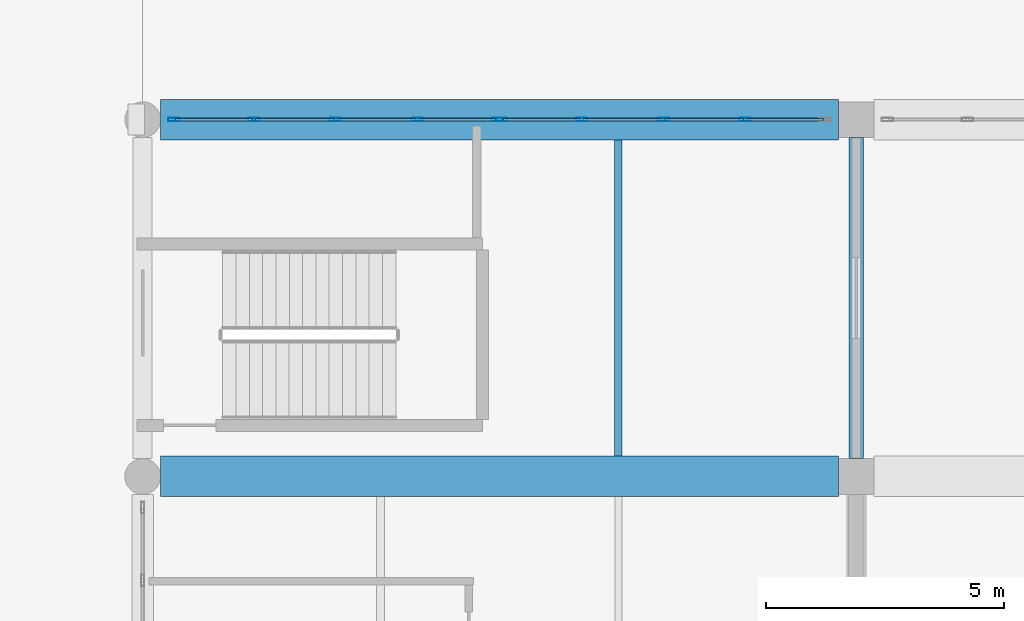
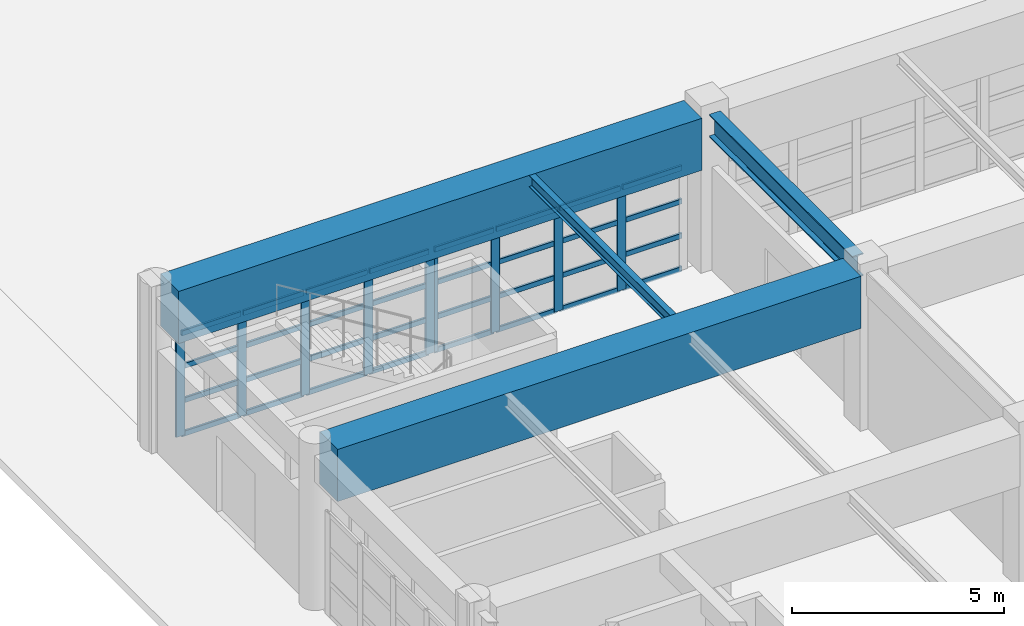
# One storey, part 13 of 122: 41 members, 4 beams, 2 elements without a shape of their own.
"""IFC4 building model written with IfcOpenShell, lengths in metres."""

from ifc_helpers import new_model, si_unit, direction, frame, origin, origin_2d, place, context, subcontext, project, spatial, rectangle, hollow_rectangle, i_section, extrude, material, material_profile, profile_set, type_object, element, aggregate, save


model = new_model("IFC4")

# Units and contexts
model_context = context("Model", 3, precision=1e-05, world=origin(), true_north=direction((0.0, 1.0)))
body_context = subcontext(model_context, "Body", "Model", "MODEL_VIEW")
ifc_project = project(units=[si_unit("LENGTHUNIT", "METRE"), si_unit("AREAUNIT", "SQUARE_METRE"), si_unit("VOLUMEUNIT", "CUBIC_METRE"), si_unit("PLANEANGLEUNIT", "RADIAN"), si_unit("MASSUNIT", "GRAM", prefix="KILO")], contexts=[model_context])

# Site, building, storey
site_placement = place(None, origin())
site = spatial("IfcSite", under=ifc_project, at=site_placement, CompositionType="ELEMENT")
building_placement = place(site_placement, origin())
building = spatial("IfcBuilding", under=site, at=building_placement, Name="Qasida Concert Hall", CompositionType="ELEMENT")
storey_placement = place(building_placement, origin())
storey = spatial("IfcBuildingStorey", under=building, at=storey_placement, Name="L00", CompositionType="ELEMENT", Elevation=0.0)

# Beams
ifc_material_1 = material(Name="Steel S355J2", Category="steel")
ifc_material_profile_1 = material_profile(ifc_material_1, i_section(OverallWidth=0.300048828125, OverallDepth=0.64990234375, WebThickness=0.01611328125, FlangeThickness=0.031005859375, FilletRadius=0.027099609375, at=origin_2d()), Name="HEB 650")
ifc_profile_set_1 = profile_set([ifc_material_profile_1], Name="Steel S355J2")
beam_type_1 = type_object("IfcBeamType", Name="BM-B13", PredefinedType="BEAM", material=ifc_profile_set_1)
beam_1_placement = place(storey_placement, frame((15.0, 45.375, 4.175048828125), z_axis=(0.0, 1.0, 0.0), x_axis=(-1.0, 0.0, 0.0)))
element("IfcBeam", 1, at=beam_1_placement, inside=storey, type_object=beam_type_1, Name="L00 girder 0545", PredefinedType="BEAM", context=body_context, shape_type="SweptSolid", body=[
    extrude(i_section(OverallWidth=0.300048828125, OverallDepth=0.64990234375, WebThickness=0.01611328125, FlangeThickness=0.031005859375, FilletRadius=0.027099609375, at=origin_2d()), origin(), (0.0, 0.0, 1.0), 6.75),
])
ifc_material_profile_2 = material_profile(ifc_material_1, i_section(OverallWidth=0.159912109375, OverallDepth=0.330078125, WebThickness=0.007568359375, FlangeThickness=0.011474609375, FilletRadius=0.01806640625, at=origin_2d()), Name="IPE 330")
ifc_profile_set_2 = profile_set([ifc_material_profile_2], Name="Steel S355J2")
beam_type_2 = type_object("IfcBeamType", Name="BM-J5", PredefinedType="JOIST", material=ifc_profile_set_2)
beam_2_placement = place(storey_placement, frame((10.0, 45.425048828125, 4.3349609375), z_axis=(0.0, 1.0, 0.0), x_axis=(-1.0, 0.0, 0.0)))
element("IfcBeam", 2, at=beam_2_placement, inside=storey, type_object=beam_type_2, Name="L00 secondary joist 0571", PredefinedType="JOIST", context=body_context, shape_type="SweptSolid", body=[
    extrude(i_section(OverallWidth=0.159912109375, OverallDepth=0.330078125, WebThickness=0.007568359375, FlangeThickness=0.011474609375, FilletRadius=0.01806640625, at=origin_2d()), origin(), (0.0, 0.0, 1.0), 6.64990234375),
])
ifc_material_2 = material(Name="Concrete C50/60", Category="concrete")
ifc_material_profile_3 = material_profile(ifc_material_2, rectangle(XDim=0.85009765625, YDim=1.5, at=origin_2d()), Name="RC 850x1500")
ifc_profile_set_3 = profile_set([ifc_material_profile_3], Name="Concrete C50/60")
beam_type_3 = type_object("IfcBeamType", Name="BM-TG2", PredefinedType="USERDEFINED", material=ifc_profile_set_3)
for number, where, z_axis, x_axis, name in (
    (3, (0.375, 45.0, 3.75), (1.0, 0.0, 0.0), (0.0, 1.0, 0.0), "Transfer girder TG-0526"),
    (4, (0.375, 52.5, 3.75), (1.0, 0.0, 0.0), (0.0, 1.0, 0.0), "Transfer girder TG-0529"),
):
    element("IfcBeam", number, at=place(storey_placement, frame(where, z_axis=z_axis, x_axis=x_axis)), inside=storey, type_object=beam_type_3, Name=name, ObjectType="GIRDER", PredefinedType="USERDEFINED", context=body_context, shape_type="SweptSolid", body=[
        extrude(rectangle(XDim=0.85009765625, YDim=1.5, at=origin_2d()), origin(), (0.0, 0.0, 1.0), 14.25),
    ])

# Curtain wall, members
ifc_material_3 = material(Name="Architectural bronze-anodized aluminium and low-E glass", Category="aluminium")
curtain_wall_type = type_object("IfcCurtainWallType", Name="CW-06", PredefinedType="NOTDEFINED", material=ifc_material_3)
curtain_wall_1_placement = place(storey_placement, origin())
curtain_wall_1 = element("IfcCurtainWall", 5, at=curtain_wall_1_placement, inside=storey, type_object=curtain_wall_type, Name="L00 curtain wall CW-06 0068", PredefinedType="NOTDEFINED")
ifc_material_4 = material(Name="Architectural bronze-anodized aluminium EN AW-6063", Category="aluminium")
ifc_material_profile_4 = material_profile(ifc_material_4, hollow_rectangle(XDim=0.070068359375, YDim=0.239990234375, WallThickness=0.0048828125, InnerFilletRadius=0.0048828125, OuterFilletRadius=0.010009765625, at=origin_2d()), Name="CWM 240x70x5")
ifc_profile_set_4 = profile_set([ifc_material_profile_4], Name="Architectural bronze-anodized aluminium EN AW-6063")
member_type_1 = type_object("IfcMemberType", Name="MB-CWM-1", PredefinedType="MULLION", material=ifc_profile_set_4)
member_1_placement = place(storey_placement, frame((0.655029296875, 52.5, 0.0), z_axis=(0.0, 0.0, 1.0), x_axis=(0.0, 1.0, 0.0)))
member_1 = element("IfcMember", 6, at=member_1_placement, type_object=member_type_1, Name="CW-06 mullion 1", PredefinedType="MULLION", context=body_context, shape_type="SweptSolid", body=[
    extrude(hollow_rectangle(XDim=0.070068359375, YDim=0.239990234375, WallThickness=0.0048828125, InnerFilletRadius=0.0048828125, OuterFilletRadius=0.010009765625, at=origin_2d()), origin(), (0.0, 0.0, 1.0), 2.969970703125),
])
member_2_placement = place(storey_placement, frame((2.33740234375, 52.5, 0.0), z_axis=(0.0, 0.0, 1.0), x_axis=(0.0, 1.0, 0.0)))
member_2 = element("IfcMember", 7, at=member_2_placement, type_object=member_type_1, Name="CW-06 mullion 2", PredefinedType="MULLION", context=body_context, shape_type="SweptSolid", body=[
    extrude(hollow_rectangle(XDim=0.070068359375, YDim=0.239990234375, WallThickness=0.0048828125, InnerFilletRadius=0.0048828125, OuterFilletRadius=0.010009765625, at=origin_2d()), origin(), (0.0, 0.0, 1.0), 2.969970703125),
])
member_3_placement = place(storey_placement, frame((4.054931640625, 52.5, 0.0), z_axis=(0.0, 0.0, 1.0), x_axis=(0.0, 1.0, 0.0)))
member_3 = element("IfcMember", 8, at=member_3_placement, type_object=member_type_1, Name="CW-06 mullion 3", PredefinedType="MULLION", context=body_context, shape_type="SweptSolid", body=[
    extrude(hollow_rectangle(XDim=0.070068359375, YDim=0.239990234375, WallThickness=0.0048828125, InnerFilletRadius=0.0048828125, OuterFilletRadius=0.010009765625, at=origin_2d()), origin(), (0.0, 0.0, 1.0), 2.969970703125),
])
member_4_placement = place(storey_placement, frame((5.7724609375, 52.5, 0.0), z_axis=(0.0, 0.0, 1.0), x_axis=(0.0, 1.0, 0.0)))
member_4 = element("IfcMember", 9, at=member_4_placement, type_object=member_type_1, Name="CW-06 mullion 4", PredefinedType="MULLION", context=body_context, shape_type="SweptSolid", body=[
    extrude(hollow_rectangle(XDim=0.070068359375, YDim=0.239990234375, WallThickness=0.0048828125, InnerFilletRadius=0.0048828125, OuterFilletRadius=0.010009765625, at=origin_2d()), origin(), (0.0, 0.0, 1.0), 2.969970703125),
])
member_5_placement = place(storey_placement, frame((7.455078125, 52.5, 0.0), z_axis=(0.0, 0.0, 1.0), x_axis=(0.0, 1.0, 0.0)))
member_5 = element("IfcMember", 10, at=member_5_placement, type_object=member_type_1, Name="CW-06 mullion 5", PredefinedType="MULLION", context=body_context, shape_type="SweptSolid", body=[
    extrude(hollow_rectangle(XDim=0.070068359375, YDim=0.239990234375, WallThickness=0.0048828125, InnerFilletRadius=0.0048828125, OuterFilletRadius=0.010009765625, at=origin_2d()), origin(), (0.0, 0.0, 1.0), 2.969970703125),
])

curtain_wall_2_placement = place(storey_placement, origin())
curtain_wall_2 = element("IfcCurtainWall", 11, at=curtain_wall_2_placement, inside=storey, type_object=curtain_wall_type, Name="L00 curtain wall CW-06 0069", PredefinedType="NOTDEFINED")
member_6_placement = place(storey_placement, frame((7.544921875, 52.5, 0.0), z_axis=(0.0, 0.0, 1.0), x_axis=(0.0, 1.0, 0.0)))
member_6 = element("IfcMember", 12, at=member_6_placement, type_object=member_type_1, Name="CW-06 mullion 1", PredefinedType="MULLION", context=body_context, shape_type="SweptSolid", body=[
    extrude(hollow_rectangle(XDim=0.070068359375, YDim=0.239990234375, WallThickness=0.0048828125, InnerFilletRadius=0.0048828125, OuterFilletRadius=0.010009765625, at=origin_2d()), origin(), (0.0, 0.0, 1.0), 2.969970703125),
])
member_7_placement = place(storey_placement, frame((9.2275390625, 52.5, 0.0), z_axis=(0.0, 0.0, 1.0), x_axis=(0.0, 1.0, 0.0)))
member_7 = element("IfcMember", 13, at=member_7_placement, type_object=member_type_1, Name="CW-06 mullion 2", PredefinedType="MULLION", context=body_context, shape_type="SweptSolid", body=[
    extrude(hollow_rectangle(XDim=0.070068359375, YDim=0.239990234375, WallThickness=0.0048828125, InnerFilletRadius=0.0048828125, OuterFilletRadius=0.010009765625, at=origin_2d()), origin(), (0.0, 0.0, 1.0), 2.969970703125),
])
member_8_placement = place(storey_placement, frame((10.945068359375, 52.5, 0.0), z_axis=(0.0, 0.0, 1.0), x_axis=(0.0, 1.0, 0.0)))
member_8 = element("IfcMember", 14, at=member_8_placement, type_object=member_type_1, Name="CW-06 mullion 3", PredefinedType="MULLION", context=body_context, shape_type="SweptSolid", body=[
    extrude(hollow_rectangle(XDim=0.070068359375, YDim=0.239990234375, WallThickness=0.0048828125, InnerFilletRadius=0.0048828125, OuterFilletRadius=0.010009765625, at=origin_2d()), origin(), (0.0, 0.0, 1.0), 2.969970703125),
])
member_9_placement = place(storey_placement, frame((12.66259765625, 52.5, 0.0), z_axis=(0.0, 0.0, 1.0), x_axis=(0.0, 1.0, 0.0)))
member_9 = element("IfcMember", 15, at=member_9_placement, type_object=member_type_1, Name="CW-06 mullion 4", PredefinedType="MULLION", context=body_context, shape_type="SweptSolid", body=[
    extrude(hollow_rectangle(XDim=0.070068359375, YDim=0.239990234375, WallThickness=0.0048828125, InnerFilletRadius=0.0048828125, OuterFilletRadius=0.010009765625, at=origin_2d()), origin(), (0.0, 0.0, 1.0), 2.969970703125),
])

# Member
ifc_material_profile_5 = material_profile(ifc_material_4, hollow_rectangle(XDim=0.06494140625, YDim=0.14990234375, WallThickness=0.00390625, InnerFilletRadius=0.00390625, OuterFilletRadius=0.008056640625, at=origin_2d()), Name="CWT 150x65x4")
ifc_profile_set_5 = profile_set([ifc_material_profile_5], Name="Architectural bronze-anodized aluminium EN AW-6063")
member_type_2 = type_object("IfcMemberType", Name="MB-CWT-1", PredefinedType="USERDEFINED", material=ifc_profile_set_5)
member_10_placement = place(storey_placement, frame((0.68994140625, 52.5, 0.032470703125), z_axis=(1.0, 0.0, 0.0), x_axis=(0.0, 1.0, 0.0)))
member_10 = element("IfcMember", 16, at=member_10_placement, type_object=member_type_2, Name="CW-06 transom 1.1", ObjectType="TRANSOM", PredefinedType="USERDEFINED", context=body_context, shape_type="SweptSolid", body=[
    extrude(hollow_rectangle(XDim=0.06494140625, YDim=0.14990234375, WallThickness=0.00390625, InnerFilletRadius=0.00390625, OuterFilletRadius=0.008056640625, at=origin_2d()), origin(), (0.0, 0.0, 1.0), 1.612548828125),
])

member_11_placement = place(storey_placement, frame((0.68994140625, 52.5, 0.989990234375), z_axis=(1.0, 0.0, 0.0), x_axis=(0.0, 1.0, 0.0)))
member_11 = element("IfcMember", 17, at=member_11_placement, type_object=member_type_2, Name="CW-06 transom 1.2", ObjectType="TRANSOM", PredefinedType="USERDEFINED", context=body_context, shape_type="SweptSolid", body=[
    extrude(hollow_rectangle(XDim=0.06494140625, YDim=0.14990234375, WallThickness=0.00390625, InnerFilletRadius=0.00390625, OuterFilletRadius=0.008056640625, at=origin_2d()), origin(), (0.0, 0.0, 1.0), 1.612548828125),
])

member_12_placement = place(storey_placement, frame((0.68994140625, 52.5, 1.97998046875), z_axis=(1.0, 0.0, 0.0), x_axis=(0.0, 1.0, 0.0)))
member_12 = element("IfcMember", 18, at=member_12_placement, type_object=member_type_2, Name="CW-06 transom 1.3", ObjectType="TRANSOM", PredefinedType="USERDEFINED", context=body_context, shape_type="SweptSolid", body=[
    extrude(hollow_rectangle(XDim=0.06494140625, YDim=0.14990234375, WallThickness=0.00390625, InnerFilletRadius=0.00390625, OuterFilletRadius=0.008056640625, at=origin_2d()), origin(), (0.0, 0.0, 1.0), 1.612548828125),
])

member_13_placement = place(storey_placement, frame((0.68994140625, 52.5, 2.9375), z_axis=(1.0, 0.0, 0.0), x_axis=(0.0, 1.0, 0.0)))
member_13 = element("IfcMember", 19, at=member_13_placement, type_object=member_type_2, Name="CW-06 transom 1.4", ObjectType="TRANSOM", PredefinedType="USERDEFINED", context=body_context, shape_type="SweptSolid", body=[
    extrude(hollow_rectangle(XDim=0.06494140625, YDim=0.14990234375, WallThickness=0.00390625, InnerFilletRadius=0.00390625, OuterFilletRadius=0.008056640625, at=origin_2d()), origin(), (0.0, 0.0, 1.0), 1.612548828125),
])

member_14_placement = place(storey_placement, frame((2.37255859375, 52.5, 0.032470703125), z_axis=(1.0, 0.0, 0.0), x_axis=(0.0, 1.0, 0.0)))
member_14 = element("IfcMember", 20, at=member_14_placement, type_object=member_type_2, Name="CW-06 transom 2.1", ObjectType="TRANSOM", PredefinedType="USERDEFINED", context=body_context, shape_type="SweptSolid", body=[
    extrude(hollow_rectangle(XDim=0.06494140625, YDim=0.14990234375, WallThickness=0.00390625, InnerFilletRadius=0.00390625, OuterFilletRadius=0.008056640625, at=origin_2d()), origin(), (0.0, 0.0, 1.0), 1.6474609375),
])

member_15_placement = place(storey_placement, frame((2.37255859375, 52.5, 0.989990234375), z_axis=(1.0, 0.0, 0.0), x_axis=(0.0, 1.0, 0.0)))
member_15 = element("IfcMember", 21, at=member_15_placement, type_object=member_type_2, Name="CW-06 transom 2.2", ObjectType="TRANSOM", PredefinedType="USERDEFINED", context=body_context, shape_type="SweptSolid", body=[
    extrude(hollow_rectangle(XDim=0.06494140625, YDim=0.14990234375, WallThickness=0.00390625, InnerFilletRadius=0.00390625, OuterFilletRadius=0.008056640625, at=origin_2d()), origin(), (0.0, 0.0, 1.0), 1.6474609375),
])

member_16_placement = place(storey_placement, frame((2.37255859375, 52.5, 1.97998046875), z_axis=(1.0, 0.0, 0.0), x_axis=(0.0, 1.0, 0.0)))
member_16 = element("IfcMember", 22, at=member_16_placement, type_object=member_type_2, Name="CW-06 transom 2.3", ObjectType="TRANSOM", PredefinedType="USERDEFINED", context=body_context, shape_type="SweptSolid", body=[
    extrude(hollow_rectangle(XDim=0.06494140625, YDim=0.14990234375, WallThickness=0.00390625, InnerFilletRadius=0.00390625, OuterFilletRadius=0.008056640625, at=origin_2d()), origin(), (0.0, 0.0, 1.0), 1.6474609375),
])

member_17_placement = place(storey_placement, frame((2.37255859375, 52.5, 2.9375), z_axis=(1.0, 0.0, 0.0), x_axis=(0.0, 1.0, 0.0)))
member_17 = element("IfcMember", 23, at=member_17_placement, type_object=member_type_2, Name="CW-06 transom 2.4", ObjectType="TRANSOM", PredefinedType="USERDEFINED", context=body_context, shape_type="SweptSolid", body=[
    extrude(hollow_rectangle(XDim=0.06494140625, YDim=0.14990234375, WallThickness=0.00390625, InnerFilletRadius=0.00390625, OuterFilletRadius=0.008056640625, at=origin_2d()), origin(), (0.0, 0.0, 1.0), 1.6474609375),
])

member_18_placement = place(storey_placement, frame((4.090087890625, 52.5, 0.032470703125), z_axis=(1.0, 0.0, 0.0), x_axis=(0.0, 1.0, 0.0)))
member_18 = element("IfcMember", 24, at=member_18_placement, type_object=member_type_2, Name="CW-06 transom 3.1", ObjectType="TRANSOM", PredefinedType="USERDEFINED", context=body_context, shape_type="SweptSolid", body=[
    extrude(hollow_rectangle(XDim=0.06494140625, YDim=0.14990234375, WallThickness=0.00390625, InnerFilletRadius=0.00390625, OuterFilletRadius=0.008056640625, at=origin_2d()), origin(), (0.0, 0.0, 1.0), 1.6474609375),
])

member_19_placement = place(storey_placement, frame((4.090087890625, 52.5, 0.989990234375), z_axis=(1.0, 0.0, 0.0), x_axis=(0.0, 1.0, 0.0)))
member_19 = element("IfcMember", 25, at=member_19_placement, type_object=member_type_2, Name="CW-06 transom 3.2", ObjectType="TRANSOM", PredefinedType="USERDEFINED", context=body_context, shape_type="SweptSolid", body=[
    extrude(hollow_rectangle(XDim=0.06494140625, YDim=0.14990234375, WallThickness=0.00390625, InnerFilletRadius=0.00390625, OuterFilletRadius=0.008056640625, at=origin_2d()), origin(), (0.0, 0.0, 1.0), 1.6474609375),
])

member_20_placement = place(storey_placement, frame((4.090087890625, 52.5, 1.97998046875), z_axis=(1.0, 0.0, 0.0), x_axis=(0.0, 1.0, 0.0)))
member_20 = element("IfcMember", 26, at=member_20_placement, type_object=member_type_2, Name="CW-06 transom 3.3", ObjectType="TRANSOM", PredefinedType="USERDEFINED", context=body_context, shape_type="SweptSolid", body=[
    extrude(hollow_rectangle(XDim=0.06494140625, YDim=0.14990234375, WallThickness=0.00390625, InnerFilletRadius=0.00390625, OuterFilletRadius=0.008056640625, at=origin_2d()), origin(), (0.0, 0.0, 1.0), 1.6474609375),
])

member_21_placement = place(storey_placement, frame((4.090087890625, 52.5, 2.9375), z_axis=(1.0, 0.0, 0.0), x_axis=(0.0, 1.0, 0.0)))
member_21 = element("IfcMember", 27, at=member_21_placement, type_object=member_type_2, Name="CW-06 transom 3.4", ObjectType="TRANSOM", PredefinedType="USERDEFINED", context=body_context, shape_type="SweptSolid", body=[
    extrude(hollow_rectangle(XDim=0.06494140625, YDim=0.14990234375, WallThickness=0.00390625, InnerFilletRadius=0.00390625, OuterFilletRadius=0.008056640625, at=origin_2d()), origin(), (0.0, 0.0, 1.0), 1.6474609375),
])

member_22_placement = place(storey_placement, frame((5.8076171875, 52.5, 0.032470703125), z_axis=(1.0, 0.0, 0.0), x_axis=(0.0, 1.0, 0.0)))
member_22 = element("IfcMember", 28, at=member_22_placement, type_object=member_type_2, Name="CW-06 transom 4.1", ObjectType="TRANSOM", PredefinedType="USERDEFINED", context=body_context, shape_type="SweptSolid", body=[
    extrude(hollow_rectangle(XDim=0.06494140625, YDim=0.14990234375, WallThickness=0.00390625, InnerFilletRadius=0.00390625, OuterFilletRadius=0.008056640625, at=origin_2d()), origin(), (0.0, 0.0, 1.0), 1.6123046875),
])

member_23_placement = place(storey_placement, frame((5.8076171875, 52.5, 0.989990234375), z_axis=(1.0, 0.0, 0.0), x_axis=(0.0, 1.0, 0.0)))
member_23 = element("IfcMember", 29, at=member_23_placement, type_object=member_type_2, Name="CW-06 transom 4.2", ObjectType="TRANSOM", PredefinedType="USERDEFINED", context=body_context, shape_type="SweptSolid", body=[
    extrude(hollow_rectangle(XDim=0.06494140625, YDim=0.14990234375, WallThickness=0.00390625, InnerFilletRadius=0.00390625, OuterFilletRadius=0.008056640625, at=origin_2d()), origin(), (0.0, 0.0, 1.0), 1.6123046875),
])

member_24_placement = place(storey_placement, frame((5.8076171875, 52.5, 1.97998046875), z_axis=(1.0, 0.0, 0.0), x_axis=(0.0, 1.0, 0.0)))
member_24 = element("IfcMember", 30, at=member_24_placement, type_object=member_type_2, Name="CW-06 transom 4.3", ObjectType="TRANSOM", PredefinedType="USERDEFINED", context=body_context, shape_type="SweptSolid", body=[
    extrude(hollow_rectangle(XDim=0.06494140625, YDim=0.14990234375, WallThickness=0.00390625, InnerFilletRadius=0.00390625, OuterFilletRadius=0.008056640625, at=origin_2d()), origin(), (0.0, 0.0, 1.0), 1.6123046875),
])

member_25_placement = place(storey_placement, frame((5.8076171875, 52.5, 2.9375), z_axis=(1.0, 0.0, 0.0), x_axis=(0.0, 1.0, 0.0)))
member_25 = element("IfcMember", 31, at=member_25_placement, type_object=member_type_2, Name="CW-06 transom 4.4", ObjectType="TRANSOM", PredefinedType="USERDEFINED", context=body_context, shape_type="SweptSolid", body=[
    extrude(hollow_rectangle(XDim=0.06494140625, YDim=0.14990234375, WallThickness=0.00390625, InnerFilletRadius=0.00390625, OuterFilletRadius=0.008056640625, at=origin_2d()), origin(), (0.0, 0.0, 1.0), 1.6123046875),
])

aggregate(curtain_wall_1, [member_1, member_2, member_3, member_4, member_5, member_10, member_11, member_12, member_13, member_14, member_15, member_16, member_17, member_18, member_19, member_20, member_21, member_22, member_23, member_24, member_25])

member_26_placement = place(storey_placement, frame((7.580078125, 52.5, 0.032470703125), z_axis=(1.0, 0.0, 0.0), x_axis=(0.0, 1.0, 0.0)))
member_26 = element("IfcMember", 32, at=member_26_placement, type_object=member_type_2, Name="CW-06 transom 1.1", ObjectType="TRANSOM", PredefinedType="USERDEFINED", context=body_context, shape_type="SweptSolid", body=[
    extrude(hollow_rectangle(XDim=0.06494140625, YDim=0.14990234375, WallThickness=0.00390625, InnerFilletRadius=0.00390625, OuterFilletRadius=0.008056640625, at=origin_2d()), origin(), (0.0, 0.0, 1.0), 1.6123046875),
])

member_27_placement = place(storey_placement, frame((7.580078125, 52.5, 0.989990234375), z_axis=(1.0, 0.0, 0.0), x_axis=(0.0, 1.0, 0.0)))
member_27 = element("IfcMember", 33, at=member_27_placement, type_object=member_type_2, Name="CW-06 transom 1.2", ObjectType="TRANSOM", PredefinedType="USERDEFINED", context=body_context, shape_type="SweptSolid", body=[
    extrude(hollow_rectangle(XDim=0.06494140625, YDim=0.14990234375, WallThickness=0.00390625, InnerFilletRadius=0.00390625, OuterFilletRadius=0.008056640625, at=origin_2d()), origin(), (0.0, 0.0, 1.0), 1.6123046875),
])

member_28_placement = place(storey_placement, frame((7.580078125, 52.5, 1.97998046875), z_axis=(1.0, 0.0, 0.0), x_axis=(0.0, 1.0, 0.0)))
member_28 = element("IfcMember", 34, at=member_28_placement, type_object=member_type_2, Name="CW-06 transom 1.3", ObjectType="TRANSOM", PredefinedType="USERDEFINED", context=body_context, shape_type="SweptSolid", body=[
    extrude(hollow_rectangle(XDim=0.06494140625, YDim=0.14990234375, WallThickness=0.00390625, InnerFilletRadius=0.00390625, OuterFilletRadius=0.008056640625, at=origin_2d()), origin(), (0.0, 0.0, 1.0), 1.6123046875),
])

member_29_placement = place(storey_placement, frame((7.580078125, 52.5, 2.9375), z_axis=(1.0, 0.0, 0.0), x_axis=(0.0, 1.0, 0.0)))
member_29 = element("IfcMember", 35, at=member_29_placement, type_object=member_type_2, Name="CW-06 transom 1.4", ObjectType="TRANSOM", PredefinedType="USERDEFINED", context=body_context, shape_type="SweptSolid", body=[
    extrude(hollow_rectangle(XDim=0.06494140625, YDim=0.14990234375, WallThickness=0.00390625, InnerFilletRadius=0.00390625, OuterFilletRadius=0.008056640625, at=origin_2d()), origin(), (0.0, 0.0, 1.0), 1.6123046875),
])

member_30_placement = place(storey_placement, frame((9.262451171875, 52.5, 0.032470703125), z_axis=(1.0, 0.0, 0.0), x_axis=(0.0, 1.0, 0.0)))
member_30 = element("IfcMember", 36, at=member_30_placement, type_object=member_type_2, Name="CW-06 transom 2.1", ObjectType="TRANSOM", PredefinedType="USERDEFINED", context=body_context, shape_type="SweptSolid", body=[
    extrude(hollow_rectangle(XDim=0.06494140625, YDim=0.14990234375, WallThickness=0.00390625, InnerFilletRadius=0.00390625, OuterFilletRadius=0.008056640625, at=origin_2d()), origin(), (0.0, 0.0, 1.0), 1.6474609375),
])

member_31_placement = place(storey_placement, frame((9.262451171875, 52.5, 0.989990234375), z_axis=(1.0, 0.0, 0.0), x_axis=(0.0, 1.0, 0.0)))
member_31 = element("IfcMember", 37, at=member_31_placement, type_object=member_type_2, Name="CW-06 transom 2.2", ObjectType="TRANSOM", PredefinedType="USERDEFINED", context=body_context, shape_type="SweptSolid", body=[
    extrude(hollow_rectangle(XDim=0.06494140625, YDim=0.14990234375, WallThickness=0.00390625, InnerFilletRadius=0.00390625, OuterFilletRadius=0.008056640625, at=origin_2d()), origin(), (0.0, 0.0, 1.0), 1.6474609375),
])

member_32_placement = place(storey_placement, frame((9.262451171875, 52.5, 1.97998046875), z_axis=(1.0, 0.0, 0.0), x_axis=(0.0, 1.0, 0.0)))
member_32 = element("IfcMember", 38, at=member_32_placement, type_object=member_type_2, Name="CW-06 transom 2.3", ObjectType="TRANSOM", PredefinedType="USERDEFINED", context=body_context, shape_type="SweptSolid", body=[
    extrude(hollow_rectangle(XDim=0.06494140625, YDim=0.14990234375, WallThickness=0.00390625, InnerFilletRadius=0.00390625, OuterFilletRadius=0.008056640625, at=origin_2d()), origin(), (0.0, 0.0, 1.0), 1.6474609375),
])

member_33_placement = place(storey_placement, frame((9.262451171875, 52.5, 2.9375), z_axis=(1.0, 0.0, 0.0), x_axis=(0.0, 1.0, 0.0)))
member_33 = element("IfcMember", 39, at=member_33_placement, type_object=member_type_2, Name="CW-06 transom 2.4", ObjectType="TRANSOM", PredefinedType="USERDEFINED", context=body_context, shape_type="SweptSolid", body=[
    extrude(hollow_rectangle(XDim=0.06494140625, YDim=0.14990234375, WallThickness=0.00390625, InnerFilletRadius=0.00390625, OuterFilletRadius=0.008056640625, at=origin_2d()), origin(), (0.0, 0.0, 1.0), 1.6474609375),
])

member_34_placement = place(storey_placement, frame((10.97998046875, 52.5, 0.032470703125), z_axis=(1.0, 0.0, 0.0), x_axis=(0.0, 1.0, 0.0)))
member_34 = element("IfcMember", 40, at=member_34_placement, type_object=member_type_2, Name="CW-06 transom 3.1", ObjectType="TRANSOM", PredefinedType="USERDEFINED", context=body_context, shape_type="SweptSolid", body=[
    extrude(hollow_rectangle(XDim=0.06494140625, YDim=0.14990234375, WallThickness=0.00390625, InnerFilletRadius=0.00390625, OuterFilletRadius=0.008056640625, at=origin_2d()), origin(), (0.0, 0.0, 1.0), 1.6474609375),
])

member_35_placement = place(storey_placement, frame((10.97998046875, 52.5, 0.989990234375), z_axis=(1.0, 0.0, 0.0), x_axis=(0.0, 1.0, 0.0)))
member_35 = element("IfcMember", 41, at=member_35_placement, type_object=member_type_2, Name="CW-06 transom 3.2", ObjectType="TRANSOM", PredefinedType="USERDEFINED", context=body_context, shape_type="SweptSolid", body=[
    extrude(hollow_rectangle(XDim=0.06494140625, YDim=0.14990234375, WallThickness=0.00390625, InnerFilletRadius=0.00390625, OuterFilletRadius=0.008056640625, at=origin_2d()), origin(), (0.0, 0.0, 1.0), 1.6474609375),
])

member_36_placement = place(storey_placement, frame((10.97998046875, 52.5, 1.97998046875), z_axis=(1.0, 0.0, 0.0), x_axis=(0.0, 1.0, 0.0)))
member_36 = element("IfcMember", 42, at=member_36_placement, type_object=member_type_2, Name="CW-06 transom 3.3", ObjectType="TRANSOM", PredefinedType="USERDEFINED", context=body_context, shape_type="SweptSolid", body=[
    extrude(hollow_rectangle(XDim=0.06494140625, YDim=0.14990234375, WallThickness=0.00390625, InnerFilletRadius=0.00390625, OuterFilletRadius=0.008056640625, at=origin_2d()), origin(), (0.0, 0.0, 1.0), 1.6474609375),
])

member_37_placement = place(storey_placement, frame((10.97998046875, 52.5, 2.9375), z_axis=(1.0, 0.0, 0.0), x_axis=(0.0, 1.0, 0.0)))
member_37 = element("IfcMember", 43, at=member_37_placement, type_object=member_type_2, Name="CW-06 transom 3.4", ObjectType="TRANSOM", PredefinedType="USERDEFINED", context=body_context, shape_type="SweptSolid", body=[
    extrude(hollow_rectangle(XDim=0.06494140625, YDim=0.14990234375, WallThickness=0.00390625, InnerFilletRadius=0.00390625, OuterFilletRadius=0.008056640625, at=origin_2d()), origin(), (0.0, 0.0, 1.0), 1.6474609375),
])

member_38_placement = place(storey_placement, frame((12.697509765625, 52.5, 0.032470703125), z_axis=(1.0, 0.0, 0.0), x_axis=(0.0, 1.0, 0.0)))
member_38 = element("IfcMember", 44, at=member_38_placement, type_object=member_type_2, Name="CW-06 transom 4.1", ObjectType="TRANSOM", PredefinedType="USERDEFINED", context=body_context, shape_type="SweptSolid", body=[
    extrude(hollow_rectangle(XDim=0.06494140625, YDim=0.14990234375, WallThickness=0.00390625, InnerFilletRadius=0.00390625, OuterFilletRadius=0.008056640625, at=origin_2d()), origin(), (0.0, 0.0, 1.0), 1.612548828125),
])

member_39_placement = place(storey_placement, frame((12.697509765625, 52.5, 0.989990234375), z_axis=(1.0, 0.0, 0.0), x_axis=(0.0, 1.0, 0.0)))
member_39 = element("IfcMember", 45, at=member_39_placement, type_object=member_type_2, Name="CW-06 transom 4.2", ObjectType="TRANSOM", PredefinedType="USERDEFINED", context=body_context, shape_type="SweptSolid", body=[
    extrude(hollow_rectangle(XDim=0.06494140625, YDim=0.14990234375, WallThickness=0.00390625, InnerFilletRadius=0.00390625, OuterFilletRadius=0.008056640625, at=origin_2d()), origin(), (0.0, 0.0, 1.0), 1.612548828125),
])

member_40_placement = place(storey_placement, frame((12.697509765625, 52.5, 1.97998046875), z_axis=(1.0, 0.0, 0.0), x_axis=(0.0, 1.0, 0.0)))
member_40 = element("IfcMember", 46, at=member_40_placement, type_object=member_type_2, Name="CW-06 transom 4.3", ObjectType="TRANSOM", PredefinedType="USERDEFINED", context=body_context, shape_type="SweptSolid", body=[
    extrude(hollow_rectangle(XDim=0.06494140625, YDim=0.14990234375, WallThickness=0.00390625, InnerFilletRadius=0.00390625, OuterFilletRadius=0.008056640625, at=origin_2d()), origin(), (0.0, 0.0, 1.0), 1.612548828125),
])

member_41_placement = place(storey_placement, frame((12.697509765625, 52.5, 2.9375), z_axis=(1.0, 0.0, 0.0), x_axis=(0.0, 1.0, 0.0)))
member_41 = element("IfcMember", 47, at=member_41_placement, type_object=member_type_2, Name="CW-06 transom 4.4", ObjectType="TRANSOM", PredefinedType="USERDEFINED", context=body_context, shape_type="SweptSolid", body=[
    extrude(hollow_rectangle(XDim=0.06494140625, YDim=0.14990234375, WallThickness=0.00390625, InnerFilletRadius=0.00390625, OuterFilletRadius=0.008056640625, at=origin_2d()), origin(), (0.0, 0.0, 1.0), 1.612548828125),
])

aggregate(curtain_wall_2, [member_6, member_7, member_8, member_9, member_26, member_27, member_28, member_29, member_30, member_31, member_32, member_33, member_34, member_35, member_36, member_37, member_38, member_39, member_40, member_41])

save(model, "model.ifc")
